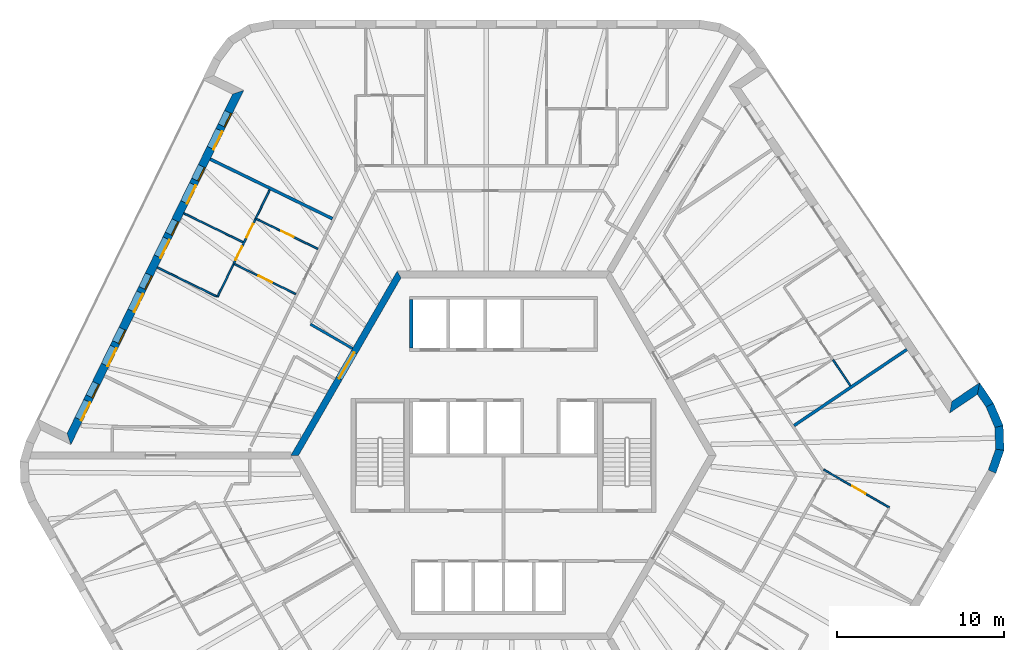
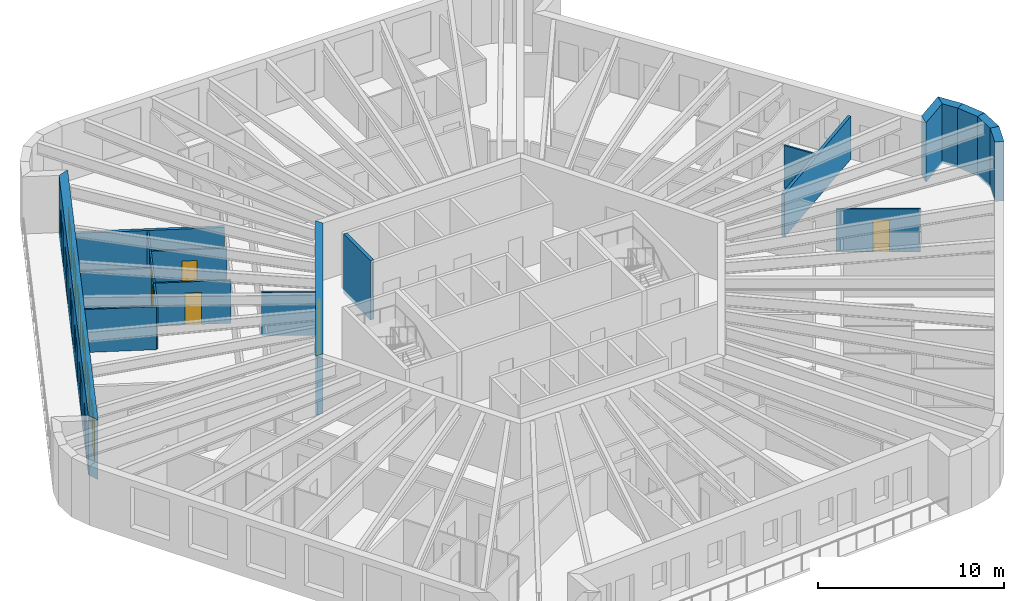
# One storey, part 8 of 12: 20 walls, 12 doors, 6 windows, 18 openings.
"""IFC4 building model written with IfcOpenShell, lengths in metres."""

from ifc_helpers import new_model, si_unit, direction, frame, frame_2d, origin, place, context, subcontext, project, spatial, polyline, rectangle, outline, extrude, material, layer, layer_set, type_object, element, fill, save


model = new_model("IFC4")

# Units and contexts
model_context = context("Model", 3, precision=1e-05, world=origin(), true_north=direction((0.0, 1.0)))
body_context = subcontext(model_context, "Body", "Model", "MODEL_VIEW")
ifc_project = project(units=[si_unit("LENGTHUNIT", "METRE"), si_unit("AREAUNIT", "SQUARE_METRE"), si_unit("VOLUMEUNIT", "CUBIC_METRE"), si_unit("PLANEANGLEUNIT", "RADIAN"), si_unit("MASSUNIT", "GRAM", prefix="KILO")], contexts=[model_context])

# Site, building, storey
site_placement = place(None, origin())
site = spatial("IfcSite", under=ifc_project, at=site_placement, CompositionType="ELEMENT")
building_placement = place(site_placement, origin())
building = spatial("IfcBuilding", under=site, at=building_placement, Name="Tarnside Tower", CompositionType="ELEMENT")
storey_placement = place(building_placement, frame((0.0, 0.0, 260.10009765625)))
storey = spatial("IfcBuildingStorey", under=building, at=storey_placement, Name="L62", CompositionType="ELEMENT", Elevation=260.10009765625)

# Wall, opening, door
ifc_material_1 = material(Name="Gypsum board partition on steel studs", Category="steel")
ifc_layer_1 = layer(ifc_material_1, 0.10009765625)
ifc_layer_set_1 = layer_set([ifc_layer_1], Name="Bathroom wall 100")
wall_type_1 = type_object("IfcWallType", Name="Bathroom wall 100", PredefinedType="PARTITIONING", material=ifc_layer_set_1)
wall_1_placement = place(storey_placement, frame((-11.09033203125, 12.334716796875, 0.0), z_axis=(0.0, 0.0, 1.0), x_axis=(-0.898787215731, 0.438385151252, 0.0)))
wall_1 = element("IfcWall", 1, at=wall_1_placement, inside=storey, type_object=wall_type_1, Name="Bathroom wall 20102", PredefinedType="PARTITIONING", context=body_context, shape_type="SweptSolid", body=[
    extrude(rectangle(XDim=4.125, YDim=0.10009765625, at=frame_2d((2.0625, 0.0))), origin(), (0.0, 0.0, 1.0), 2.8232421875),
])
opening_1_placement = place(wall_1_placement, frame((1.625, 0.0, 0.0)))
opening_1 = element("IfcOpeningElement", 2, at=opening_1_placement, cuts=wall_1, Name="Opening D-B1", PredefinedType="OPENING", context=body_context, shape_type="SweptSolid", body=[
    extrude(rectangle(XDim=0.800048828125, YDim=2.10009765625, at=frame_2d((0.39990234375, 1.050048828125))), frame((0.0, 0.06005859375, 0.0), z_axis=(0.0, -1.0, 0.0), x_axis=(1.0, 0.0, 0.0)), (0.0, 0.0, 1.0), 0.1201171875),
])
ifc_material_2 = material(Name="Timber door leaf", Category="wood")
door_type_1 = type_object("IfcDoorType", Name="Bathroom door 800", OperationType="NOTDEFINED", PredefinedType="DOOR", material=ifc_material_2)
door_1_placement = place(opening_1_placement, origin())
door_1 = element("IfcDoor", 3, at=door_1_placement, inside=storey, type_object=door_type_1, Name="Bathroom door 20016", OperationType="SINGLE_SWING_RIGHT", OverallHeight=2.10009765625, OverallWidth=0.800048828125, PredefinedType="DOOR", context=body_context, shape_type="SweptSolid", body=[
    extrude(rectangle(XDim=0.800048828125, YDim=2.10009765625, at=frame_2d((0.39990234375, 1.050048828125))), frame((0.0, 0.02490234375, 0.0), z_axis=(0.0, -1.0, 0.0), x_axis=(1.0, 0.0, 0.0)), (0.0, 0.0, 1.0), 0.050048828125),
])
fill(opening_1, door_1)

# Walls
wall_2_placement = place(storey_placement, frame((-13.96044921875, 15.859619140625, 0.0), z_axis=(0.0, 0.0, 1.0), x_axis=(-0.438355705964, -0.898801577128, 0.0)))
element("IfcWall", 4, at=wall_2_placement, inside=storey, type_object=wall_type_1, Name="Bathroom wall 20105", PredefinedType="PARTITIONING", context=body_context, shape_type="SweptSolid", body=[
    extrude(rectangle(XDim=1.912109375, YDim=0.10009765625, at=frame_2d((0.9560546875, 0.0))), origin(), (0.0, 0.0, 1.0), 2.8232421875),
])
wall_3_placement = place(storey_placement, frame((20.715087890625, 4.16015625, 0.0), z_axis=(0.0, 0.0, 1.0), x_axis=(-0.559200351269, 0.829032548903, 0.0)))
element("IfcWall", 5, at=wall_3_placement, inside=storey, type_object=wall_type_1, Name="Bathroom wall 20166", PredefinedType="PARTITIONING", context=body_context, shape_type="SweptSolid", body=[
    extrude(rectangle(XDim=1.862060546875, YDim=0.10009765625, at=frame_2d((0.93115234375, 0.0))), origin(), (0.0, 0.0, 1.0), 2.8232421875),
])

# Wall, opening, door
ifc_material_3 = material(Name="Concrete C60/75", Category="concrete")
ifc_layer_2 = layer(ifc_material_3, 0.39990234375)
ifc_layer_set_2 = layer_set([ifc_layer_2], Name="Core wall Z3 400 C60/75")
wall_type_2 = type_object("IfcWallType", Name="Core wall Z3 400 C60/75", PredefinedType="SHEAR", material=ifc_layer_set_2)
wall_4_placement = place(storey_placement, frame((-6.2353515625, 10.800048828125, -0.150146484375), z_axis=(0.0, 0.0, 1.0), x_axis=(-0.499996419489, -0.866027470984, 0.0)))
wall_4 = element("IfcWall", 6, at=wall_4_placement, inside=storey, type_object=wall_type_2, Name="L62 core wall face 2", PredefinedType="SHEAR", context=body_context, shape_type="SweptSolid", body=[
    extrude(outline(polyline([(-0.115478515625, -0.199951171875), (12.586181640625, -0.199951171875), (12.355224609375, 0.199951171875), (0.115478515625, 0.199951171875), (-0.115478515625, -0.199951171875)])), origin(), (0.0, 0.0, 1.0), 3.900146484375),
])
opening_2_placement = place(wall_4_placement, frame((5.3642578125, 0.0, 0.14990234375)))
opening_2 = element("IfcOpeningElement", 7, at=opening_2_placement, cuts=wall_4, Name="Opening CD-LOB", PredefinedType="OPENING", context=body_context, shape_type="SweptSolid", body=[
    extrude(rectangle(XDim=1.800048828125, YDim=2.39990234375, at=frame_2d((0.89990234375, 1.199951171875))), frame((0.0, 0.2099609375, 0.0), z_axis=(0.0, -1.0, 0.0), x_axis=(1.0, 0.0, 0.0)), (0.0, 0.0, 1.0), 0.419921875),
])
ifc_material_4 = material(Name="Steel fire door", Category="steel")
door_type_2 = type_object("IfcDoorType", Name="Lobby double door FD30S 1800x2400", OperationType="NOTDEFINED", PredefinedType="DOOR", material=ifc_material_4)
door_2_placement = place(opening_2_placement, origin())
door_2 = element("IfcDoor", 8, at=door_2_placement, inside=storey, type_object=door_type_2, Name="L62 core door P1", OperationType="DOUBLE_DOOR_SINGLE_SWING", OverallHeight=2.39990234375, OverallWidth=1.800048828125, PredefinedType="DOOR", context=body_context, shape_type="SweptSolid", body=[
    extrude(rectangle(XDim=1.800048828125, YDim=2.39990234375, at=frame_2d((0.89990234375, 1.199951171875))), frame((0.0, 0.02490234375, 0.0), z_axis=(0.0, -1.0, 0.0), x_axis=(1.0, 0.0, 0.0)), (0.0, 0.0, 1.0), 0.050048828125),
])
fill(opening_2, door_2)

# Walls
ifc_layer_3 = layer(ifc_material_1, 0.14990234375)
ifc_layer_set_3 = layer_set([ifc_layer_3], Name="Corridor wall 150 EI 60")
wall_type_3 = type_object("IfcWallType", Name="Corridor wall 150 EI 60", PredefinedType="PARTITIONING", material=ifc_layer_set_3)
wall_5_placement = place(storey_placement, frame((-9.015625, 6.38427734375, 0.0), z_axis=(0.0, 0.0, 1.0), x_axis=(-0.866010648346, 0.500025556299, 0.0)))
element("IfcWall", 9, at=wall_5_placement, inside=storey, type_object=wall_type_3, Name="Corridor wall 20017", PredefinedType="PARTITIONING", context=body_context, shape_type="SweptSolid", body=[
    extrude(rectangle(XDim=2.905029296875, YDim=0.14990234375, at=frame_2d((1.45263671875, 0.0))), origin(), (0.0, 0.0, 1.0), 2.8232421875),
])
ifc_layer_4 = layer(ifc_material_1, 0.179931640625)
ifc_layer_set_4 = layer_set([ifc_layer_4], Name="Demising wall 180 EI 60")
wall_type_4 = type_object("IfcWallType", Name="Demising wall 180 EI 60", PredefinedType="PARTITIONING", material=ifc_layer_set_4)
for number, where, z_axis, x_axis, name in (
    (10, (-17.51611328125, 17.694091796875, 0.0), (0.0, 0.0, 1.0), (0.898794723364, -0.438369758597, 0.0), "Demising wall 20093"),
    (11, (24.08154296875, 6.322509765625, 0.0), (0.0, 0.0, 1.0), (-0.829033253898, -0.55919930609, 0.0), "Demising wall 20154"),
):
    element("IfcWall", number, at=place(storey_placement, frame(where, z_axis=z_axis, x_axis=x_axis)), inside=storey, type_object=wall_type_4, Name=name, PredefinedType="PARTITIONING", context=body_context, shape_type="SweptSolid", body=[
        extrude(rectangle(XDim=8.125, YDim=0.179931640625, at=frame_2d((4.0625, 0.0))), origin(), (0.0, 0.0, 1.0), 2.8232421875),
    ])
ifc_material_5 = material(Name="Concrete C40/50", Category="concrete")
ifc_layer_5 = layer(ifc_material_5, 0.199951171875)
ifc_layer_set_5 = layer_set([ifc_layer_5], Name="Lift shaft wall 200 C40/50")
wall_type_5 = type_object("IfcWallType", Name="Lift shaft wall 200 C40/50", PredefinedType="SHEAR", material=ifc_layer_set_5)
wall_6_placement = place(storey_placement, frame((-5.5, 6.39990234375, -0.25), z_axis=(0.0, 0.0, 1.0), x_axis=(0.0, 1.0, 0.0)))
element("IfcWall", 12, at=wall_6_placement, inside=storey, type_object=wall_type_5, Name="L62 lift shaft partition R11", PredefinedType="SHEAR", context=body_context, shape_type="SweptSolid", body=[
    extrude(rectangle(XDim=2.900146484375, YDim=0.199951171875, at=frame_2d((1.4501953125, 0.0))), origin(), (0.0, 0.0, 1.0), 3.89990234375),
])

# Wall, openings, doors, windows
ifc_material_6 = material(Name="Dark zinc cladding")
ifc_layer_6 = layer(ifc_material_6, 0.10205078125)
ifc_material_7 = material(Name="Concrete C60/75 precast", Category="concrete")
ifc_layer_7 = layer(ifc_material_7, 0.298095703125)
ifc_material_8 = material(Name="Mineral wool insulation")
ifc_layer_8 = layer(ifc_material_8, 0.10009765625)
ifc_layer_set_6 = layer_set([ifc_layer_6, ifc_layer_7, ifc_layer_8], Name="Loggia wall 500 zinc faced")
wall_type_6 = type_object("IfcWallType", Name="Loggia wall 500 zinc faced", PredefinedType="SOLIDWALL", material=ifc_layer_set_6)
wall_7_placement = place(storey_placement, frame((-15.845947265625, 21.6884765625, -0.150146484375), z_axis=(0.0, 0.0, 1.0), x_axis=(-0.438377502627, -0.898790946322, 0.0)))
wall_7 = element("IfcWall", 13, at=wall_7_placement, inside=storey, type_object=wall_type_6, Name="Tube wall L62 F2 back 06", PredefinedType="SOLIDWALL", context=body_context, shape_type="SweptSolid", body=[
    extrude(outline(polyline([(0.25, -0.25), (22.794677734375, -0.25), (23.294677734375, 0.25), (-0.25, 0.25), (0.25, -0.25)])), origin(), (0.0, 0.0, 1.0), 3.900146484375),
])
opening_3_placement = place(wall_7_placement, frame((1.322509765625, 0.0, 1.050048828125)))
opening_3 = element("IfcOpeningElement", 14, at=opening_3_placement, cuts=wall_7, Name="Opening WL500", PredefinedType="OPENING", context=body_context, shape_type="SweptSolid", body=[
    extrude(rectangle(XDim=0.89990234375, YDim=1.5, at=frame_2d((0.449951171875, 0.75))), frame((0.0, 0.260009765625, 0.0), z_axis=(0.0, -1.0, 0.0), x_axis=(1.0, 0.0, 0.0)), (0.0, 0.0, 1.0), 0.52001953125),
])
opening_4_placement = place(wall_7_placement, frame((2.5224609375, 0.0, 0.14990234375)))
opening_4 = element("IfcOpeningElement", 15, at=opening_4_placement, cuts=wall_7, Name="Opening DB500", PredefinedType="OPENING", context=body_context, shape_type="SweptSolid", body=[
    extrude(rectangle(XDim=1.199951171875, YDim=2.39990234375, at=frame_2d((0.60009765625, 1.199951171875))), frame((0.0, 0.260009765625, 0.0), z_axis=(0.0, -1.0, 0.0), x_axis=(1.0, 0.0, 0.0)), (0.0, 0.0, 1.0), 0.52001953125),
])
opening_5_placement = place(wall_7_placement, frame((4.92236328125, 0.0, 1.050048828125)))
opening_5 = element("IfcOpeningElement", 16, at=opening_5_placement, cuts=wall_7, Name="Opening WL500", PredefinedType="OPENING", context=body_context, shape_type="SweptSolid", body=[
    extrude(rectangle(XDim=0.89990234375, YDim=1.5, at=frame_2d((0.449951171875, 0.75))), frame((0.0, 0.260009765625, 0.0), z_axis=(0.0, -1.0, 0.0), x_axis=(1.0, 0.0, 0.0)), (0.0, 0.0, 1.0), 0.52001953125),
])
opening_6_placement = place(wall_7_placement, frame((6.122314453125, 0.0, 0.14990234375)))
opening_6 = element("IfcOpeningElement", 17, at=opening_6_placement, cuts=wall_7, Name="Opening DB500", PredefinedType="OPENING", context=body_context, shape_type="SweptSolid", body=[
    extrude(rectangle(XDim=1.199951171875, YDim=2.39990234375, at=frame_2d((0.60009765625, 1.199951171875))), frame((0.0, 0.260009765625, 0.0), z_axis=(0.0, -1.0, 0.0), x_axis=(1.0, 0.0, 0.0)), (0.0, 0.0, 1.0), 0.52001953125),
])
opening_7_placement = place(wall_7_placement, frame((8.5224609375, 0.0, 1.050048828125)))
opening_7 = element("IfcOpeningElement", 18, at=opening_7_placement, cuts=wall_7, Name="Opening WL500", PredefinedType="OPENING", context=body_context, shape_type="SweptSolid", body=[
    extrude(rectangle(XDim=0.89990234375, YDim=1.5, at=frame_2d((0.449951171875, 0.75))), frame((0.0, 0.260009765625, 0.0), z_axis=(0.0, -1.0, 0.0), x_axis=(1.0, 0.0, 0.0)), (0.0, 0.0, 1.0), 0.52001953125),
])
opening_8_placement = place(wall_7_placement, frame((9.722412109375, 0.0, 0.14990234375)))
opening_8 = element("IfcOpeningElement", 19, at=opening_8_placement, cuts=wall_7, Name="Opening DB500", PredefinedType="OPENING", context=body_context, shape_type="SweptSolid", body=[
    extrude(rectangle(XDim=1.199951171875, YDim=2.39990234375, at=frame_2d((0.60009765625, 1.199951171875))), frame((0.0, 0.260009765625, 0.0), z_axis=(0.0, -1.0, 0.0), x_axis=(1.0, 0.0, 0.0)), (0.0, 0.0, 1.0), 0.52001953125),
])
opening_9_placement = place(wall_7_placement, frame((12.122314453125, 0.0, 1.050048828125)))
opening_9 = element("IfcOpeningElement", 20, at=opening_9_placement, cuts=wall_7, Name="Opening WL500", PredefinedType="OPENING", context=body_context, shape_type="SweptSolid", body=[
    extrude(rectangle(XDim=0.89990234375, YDim=1.5, at=frame_2d((0.449951171875, 0.75))), frame((0.0, 0.260009765625, 0.0), z_axis=(0.0, -1.0, 0.0), x_axis=(1.0, 0.0, 0.0)), (0.0, 0.0, 1.0), 0.52001953125),
])
opening_10_placement = place(wall_7_placement, frame((13.322509765625, 0.0, 0.14990234375)))
opening_10 = element("IfcOpeningElement", 21, at=opening_10_placement, cuts=wall_7, Name="Opening DB500", PredefinedType="OPENING", context=body_context, shape_type="SweptSolid", body=[
    extrude(rectangle(XDim=1.199951171875, YDim=2.39990234375, at=frame_2d((0.60009765625, 1.199951171875))), frame((0.0, 0.260009765625, 0.0), z_axis=(0.0, -1.0, 0.0), x_axis=(1.0, 0.0, 0.0)), (0.0, 0.0, 1.0), 0.52001953125),
])
opening_11_placement = place(wall_7_placement, frame((15.722412109375, 0.0, 1.050048828125)))
opening_11 = element("IfcOpeningElement", 22, at=opening_11_placement, cuts=wall_7, Name="Opening WL500", PredefinedType="OPENING", context=body_context, shape_type="SweptSolid", body=[
    extrude(rectangle(XDim=0.89990234375, YDim=1.5, at=frame_2d((0.449951171875, 0.75))), frame((0.0, 0.260009765625, 0.0), z_axis=(0.0, -1.0, 0.0), x_axis=(1.0, 0.0, 0.0)), (0.0, 0.0, 1.0), 0.52001953125),
])
opening_12_placement = place(wall_7_placement, frame((16.92236328125, 0.0, 0.14990234375)))
opening_12 = element("IfcOpeningElement", 23, at=opening_12_placement, cuts=wall_7, Name="Opening DB500", PredefinedType="OPENING", context=body_context, shape_type="SweptSolid", body=[
    extrude(rectangle(XDim=1.199951171875, YDim=2.39990234375, at=frame_2d((0.60009765625, 1.199951171875))), frame((0.0, 0.260009765625, 0.0), z_axis=(0.0, -1.0, 0.0), x_axis=(1.0, 0.0, 0.0)), (0.0, 0.0, 1.0), 0.52001953125),
])
opening_13_placement = place(wall_7_placement, frame((19.322509765625, 0.0, 1.050048828125)))
opening_13 = element("IfcOpeningElement", 24, at=opening_13_placement, cuts=wall_7, Name="Opening WL500", PredefinedType="OPENING", context=body_context, shape_type="SweptSolid", body=[
    extrude(rectangle(XDim=0.89990234375, YDim=1.5, at=frame_2d((0.449951171875, 0.75))), frame((0.0, 0.260009765625, 0.0), z_axis=(0.0, -1.0, 0.0), x_axis=(1.0, 0.0, 0.0)), (0.0, 0.0, 1.0), 0.52001953125),
])
opening_14_placement = place(wall_7_placement, frame((20.5224609375, 0.0, 0.14990234375)))
opening_14 = element("IfcOpeningElement", 25, at=opening_14_placement, cuts=wall_7, Name="Opening DB500", PredefinedType="OPENING", context=body_context, shape_type="SweptSolid", body=[
    extrude(rectangle(XDim=1.199951171875, YDim=2.39990234375, at=frame_2d((0.60009765625, 1.199951171875))), frame((0.0, 0.260009765625, 0.0), z_axis=(0.0, -1.0, 0.0), x_axis=(1.0, 0.0, 0.0)), (0.0, 0.0, 1.0), 0.52001953125),
])
ifc_material_9 = material(Name="Aluminium-framed double glazing", Category="aluminium")
door_type_3 = type_object("IfcDoorType", Name="Balcony sliding door 1200 x 2400 in 500 wall", OperationType="SLIDING_TO_LEFT", PredefinedType="DOOR", material=ifc_material_9)
door_3_placement = place(opening_4_placement, frame((0.0, 0.1748046875, 0.0)))
door_3 = element("IfcDoor", 26, at=door_3_placement, inside=storey, type_object=door_type_3, Name="E.BD.L62.F2.00", OperationType="SLIDING_TO_LEFT", OverallHeight=2.39990234375, OverallWidth=1.199951171875, PredefinedType="DOOR", context=body_context, shape_type="SweptSolid", body=[
    extrude(rectangle(XDim=1.199951171875, YDim=2.39990234375, at=frame_2d((0.60009765625, 1.199951171875))), frame((0.0, 0.02490234375, 0.0), z_axis=(0.0, -1.0, 0.0), x_axis=(1.0, 0.0, 0.0)), (0.0, 0.0, 1.0), 0.050048828125),
])
fill(opening_4, door_3)
door_4_placement = place(opening_6_placement, frame((0.0, 0.1748046875, 0.0)))
door_4 = element("IfcDoor", 27, at=door_4_placement, inside=storey, type_object=door_type_3, Name="E.BD.L62.F2.01", OperationType="SLIDING_TO_LEFT", OverallHeight=2.39990234375, OverallWidth=1.199951171875, PredefinedType="DOOR", context=body_context, shape_type="SweptSolid", body=[
    extrude(rectangle(XDim=1.199951171875, YDim=2.39990234375, at=frame_2d((0.60009765625, 1.199951171875))), frame((0.0, 0.02490234375, 0.0), z_axis=(0.0, -1.0, 0.0), x_axis=(1.0, 0.0, 0.0)), (0.0, 0.0, 1.0), 0.050048828125),
])
fill(opening_6, door_4)
door_5_placement = place(opening_8_placement, frame((0.0, 0.1748046875, 0.0)))
door_5 = element("IfcDoor", 28, at=door_5_placement, inside=storey, type_object=door_type_3, Name="E.BD.L62.F2.02", OperationType="SLIDING_TO_LEFT", OverallHeight=2.39990234375, OverallWidth=1.199951171875, PredefinedType="DOOR", context=body_context, shape_type="SweptSolid", body=[
    extrude(rectangle(XDim=1.199951171875, YDim=2.39990234375, at=frame_2d((0.60009765625, 1.199951171875))), frame((0.0, 0.02490234375, 0.0), z_axis=(0.0, -1.0, 0.0), x_axis=(1.0, 0.0, 0.0)), (0.0, 0.0, 1.0), 0.050048828125),
])
fill(opening_8, door_5)
door_6_placement = place(opening_10_placement, frame((0.0, 0.1748046875, 0.0)))
door_6 = element("IfcDoor", 29, at=door_6_placement, inside=storey, type_object=door_type_3, Name="E.BD.L62.F2.03", OperationType="SLIDING_TO_LEFT", OverallHeight=2.39990234375, OverallWidth=1.199951171875, PredefinedType="DOOR", context=body_context, shape_type="SweptSolid", body=[
    extrude(rectangle(XDim=1.199951171875, YDim=2.39990234375, at=frame_2d((0.60009765625, 1.199951171875))), frame((0.0, 0.02490234375, 0.0), z_axis=(0.0, -1.0, 0.0), x_axis=(1.0, 0.0, 0.0)), (0.0, 0.0, 1.0), 0.050048828125),
])
fill(opening_10, door_6)
door_7_placement = place(opening_12_placement, frame((0.0, 0.1748046875, 0.0)))
door_7 = element("IfcDoor", 30, at=door_7_placement, inside=storey, type_object=door_type_3, Name="E.BD.L62.F2.04", OperationType="SLIDING_TO_LEFT", OverallHeight=2.39990234375, OverallWidth=1.199951171875, PredefinedType="DOOR", context=body_context, shape_type="SweptSolid", body=[
    extrude(rectangle(XDim=1.199951171875, YDim=2.39990234375, at=frame_2d((0.60009765625, 1.199951171875))), frame((0.0, 0.02490234375, 0.0), z_axis=(0.0, -1.0, 0.0), x_axis=(1.0, 0.0, 0.0)), (0.0, 0.0, 1.0), 0.050048828125),
])
fill(opening_12, door_7)
door_8_placement = place(opening_14_placement, frame((0.0, 0.1748046875, 0.0)))
door_8 = element("IfcDoor", 31, at=door_8_placement, inside=storey, type_object=door_type_3, Name="E.BD.L62.F2.05", OperationType="SLIDING_TO_LEFT", OverallHeight=2.39990234375, OverallWidth=1.199951171875, PredefinedType="DOOR", context=body_context, shape_type="SweptSolid", body=[
    extrude(rectangle(XDim=1.199951171875, YDim=2.39990234375, at=frame_2d((0.60009765625, 1.199951171875))), frame((0.0, 0.02490234375, 0.0), z_axis=(0.0, -1.0, 0.0), x_axis=(1.0, 0.0, 0.0)), (0.0, 0.0, 1.0), 0.050048828125),
])
fill(opening_14, door_8)
window_type = type_object("IfcWindowType", Name="Loggia window 900 x 1500 in 500 wall", PartitioningType="SINGLE_PANEL", PredefinedType="WINDOW", material=ifc_material_9)
window_1_placement = place(opening_3_placement, frame((0.0, 0.179931640625, 0.0)))
window_1 = element("IfcWindow", 32, at=window_1_placement, inside=storey, type_object=window_type, Name="E.LW.L62.F2.00", OverallHeight=1.5, OverallWidth=0.89990234375, PartitioningType="SINGLE_PANEL", PredefinedType="WINDOW", context=body_context, shape_type="SweptSolid", body=[
    extrude(rectangle(XDim=0.89990234375, YDim=1.5, at=frame_2d((0.449951171875, 0.75))), frame((0.0, 0.030029296875, 0.0), z_axis=(0.0, -1.0, 0.0), x_axis=(1.0, 0.0, 0.0)), (0.0, 0.0, 1.0), 0.06005859375),
])
fill(opening_3, window_1)
window_2_placement = place(opening_5_placement, frame((0.0, 0.179931640625, 0.0)))
window_2 = element("IfcWindow", 33, at=window_2_placement, inside=storey, type_object=window_type, Name="E.LW.L62.F2.01", OverallHeight=1.5, OverallWidth=0.89990234375, PartitioningType="SINGLE_PANEL", PredefinedType="WINDOW", context=body_context, shape_type="SweptSolid", body=[
    extrude(rectangle(XDim=0.89990234375, YDim=1.5, at=frame_2d((0.449951171875, 0.75))), frame((0.0, 0.030029296875, 0.0), z_axis=(0.0, -1.0, 0.0), x_axis=(1.0, 0.0, 0.0)), (0.0, 0.0, 1.0), 0.06005859375),
])
fill(opening_5, window_2)
window_3_placement = place(opening_7_placement, frame((0.0, 0.179931640625, 0.0)))
window_3 = element("IfcWindow", 34, at=window_3_placement, inside=storey, type_object=window_type, Name="E.LW.L62.F2.02", OverallHeight=1.5, OverallWidth=0.89990234375, PartitioningType="SINGLE_PANEL", PredefinedType="WINDOW", context=body_context, shape_type="SweptSolid", body=[
    extrude(rectangle(XDim=0.89990234375, YDim=1.5, at=frame_2d((0.449951171875, 0.75))), frame((0.0, 0.030029296875, 0.0), z_axis=(0.0, -1.0, 0.0), x_axis=(1.0, 0.0, 0.0)), (0.0, 0.0, 1.0), 0.06005859375),
])
fill(opening_7, window_3)
window_4_placement = place(opening_9_placement, frame((0.0, 0.179931640625, 0.0)))
window_4 = element("IfcWindow", 35, at=window_4_placement, inside=storey, type_object=window_type, Name="E.LW.L62.F2.03", OverallHeight=1.5, OverallWidth=0.89990234375, PartitioningType="SINGLE_PANEL", PredefinedType="WINDOW", context=body_context, shape_type="SweptSolid", body=[
    extrude(rectangle(XDim=0.89990234375, YDim=1.5, at=frame_2d((0.449951171875, 0.75))), frame((0.0, 0.030029296875, 0.0), z_axis=(0.0, -1.0, 0.0), x_axis=(1.0, 0.0, 0.0)), (0.0, 0.0, 1.0), 0.06005859375),
])
fill(opening_9, window_4)
window_5_placement = place(opening_11_placement, frame((0.0, 0.179931640625, 0.0)))
window_5 = element("IfcWindow", 36, at=window_5_placement, inside=storey, type_object=window_type, Name="E.LW.L62.F2.04", OverallHeight=1.5, OverallWidth=0.89990234375, PartitioningType="SINGLE_PANEL", PredefinedType="WINDOW", context=body_context, shape_type="SweptSolid", body=[
    extrude(rectangle(XDim=0.89990234375, YDim=1.5, at=frame_2d((0.449951171875, 0.75))), frame((0.0, 0.030029296875, 0.0), z_axis=(0.0, -1.0, 0.0), x_axis=(1.0, 0.0, 0.0)), (0.0, 0.0, 1.0), 0.06005859375),
])
fill(opening_11, window_5)
window_6_placement = place(opening_13_placement, frame((0.0, 0.179931640625, 0.0)))
window_6 = element("IfcWindow", 37, at=window_6_placement, inside=storey, type_object=window_type, Name="E.LW.L62.F2.05", OverallHeight=1.5, OverallWidth=0.89990234375, PartitioningType="SINGLE_PANEL", PredefinedType="WINDOW", context=body_context, shape_type="SweptSolid", body=[
    extrude(rectangle(XDim=0.89990234375, YDim=1.5, at=frame_2d((0.449951171875, 0.75))), frame((0.0, 0.030029296875, 0.0), z_axis=(0.0, -1.0, 0.0), x_axis=(1.0, 0.0, 0.0)), (0.0, 0.0, 1.0), 0.06005859375),
])
fill(opening_13, window_6)

# Walls
wall_8_placement = place(storey_placement, frame((29.034912109375, 3.00244140625, -0.150146484375), z_axis=(0.0, 0.0, 1.0), x_axis=(-0.559200218553, 0.829032638423, 0.0)))
element("IfcWall", 38, at=wall_8_placement, inside=storey, type_object=wall_type_6, Name="Tube wall L62 F6 stub 28", PredefinedType="SOLIDWALL", context=body_context, shape_type="SweptSolid", body=[
    extrude(outline(polyline([(-0.0234375, -0.25), (1.44970703125, -0.25), (0.94970703125, 0.25), (0.0234375, 0.25), (-0.0234375, -0.25)])), origin(), (0.0, 0.0, 1.0), 3.900146484375),
])
wall_9_placement = place(storey_placement, frame((28.364013671875, 3.9970703125, -0.150146484375), z_axis=(0.0, 0.0, 1.0), x_axis=(-0.829108975345, -0.5590870299, 0.0)))
element("IfcWall", 39, at=wall_9_placement, inside=storey, type_object=wall_type_6, Name="Tube wall L62 F6 return 29", PredefinedType="SOLIDWALL", context=body_context, shape_type="SweptSolid", body=[
    extrude(outline(polyline([(-0.25, -0.25), (1.75, -0.25), (2.25, 0.25), (0.25, 0.25), (-0.25, -0.25)])), origin(), (0.0, 0.0, 1.0), 3.900146484375),
])

# Wall, opening, door
ifc_layer_9 = layer(ifc_material_1, 0.10009765625)
ifc_layer_set_7 = layer_set([ifc_layer_9], Name="Partition 100")
wall_type_7 = type_object("IfcWallType", Name="Partition 100", PredefinedType="PARTITIONING", material=ifc_layer_set_7)
wall_10_placement = place(storey_placement, frame((-12.4052734375, 9.638427734375, 0.0), z_axis=(0.0, 0.0, 1.0), x_axis=(-0.898810534939, 0.438337338454, 0.0)))
wall_10 = element("IfcWall", 40, at=wall_10_placement, inside=storey, type_object=wall_type_7, Name="Partition wall 20098", PredefinedType="PARTITIONING", context=body_context, shape_type="SweptSolid", body=[
    extrude(rectangle(XDim=4.125, YDim=0.10009765625, at=frame_2d((2.0625, 0.0))), origin(), (0.0, 0.0, 1.0), 2.8232421875),
])
opening_15_placement = place(wall_10_placement, frame((1.574951171875, 0.0, 0.0)))
opening_15 = element("IfcOpeningElement", 41, at=opening_15_placement, cuts=wall_10, Name="Opening D-I1", PredefinedType="OPENING", context=body_context, shape_type="SweptSolid", body=[
    extrude(rectangle(XDim=0.89990234375, YDim=2.10009765625, at=frame_2d((0.449951171875, 1.050048828125))), frame((0.0, 0.06005859375, 0.0), z_axis=(0.0, -1.0, 0.0), x_axis=(1.0, 0.0, 0.0)), (0.0, 0.0, 1.0), 0.1201171875),
])
door_type_4 = type_object("IfcDoorType", Name="Internal door 900", OperationType="NOTDEFINED", PredefinedType="DOOR", material=ifc_material_2)
door_9_placement = place(opening_15_placement, origin())
door_9 = element("IfcDoor", 42, at=door_9_placement, inside=storey, type_object=door_type_4, Name="Internal door 20017", OperationType="SINGLE_SWING_RIGHT", OverallHeight=2.10009765625, OverallWidth=0.89990234375, PredefinedType="DOOR", context=body_context, shape_type="SweptSolid", body=[
    extrude(rectangle(XDim=0.89990234375, YDim=2.10009765625, at=frame_2d((0.449951171875, 1.050048828125))), frame((0.0, 0.02490234375, 0.0), z_axis=(0.0, -1.0, 0.0), x_axis=(1.0, 0.0, 0.0)), (0.0, 0.0, 1.0), 0.050048828125),
])
fill(opening_15, door_9)

# Walls
wall_11_placement = place(storey_placement, frame((-16.1337890625, 11.403564453125, 0.0), z_axis=(0.0, 0.0, 1.0), x_axis=(-0.438343168157, -0.898807691851, 0.0)))
element("IfcWall", 43, at=wall_11_placement, inside=storey, type_object=wall_type_7, Name="Partition wall 20099", PredefinedType="PARTITIONING", context=body_context, shape_type="SweptSolid", body=[
    extrude(rectangle(XDim=2.152099609375, YDim=0.10009765625, at=frame_2d((1.076171875, 0.0))), origin(), (0.0, 0.0, 1.0), 2.8232421875),
])
wall_12_placement = place(storey_placement, frame((-17.122314453125, 9.4912109375, 0.0), z_axis=(0.0, 0.0, 1.0), x_axis=(-0.89879695829, 0.438365176273, 0.0)))
element("IfcWall", 44, at=wall_12_placement, inside=storey, type_object=wall_type_7, Name="Partition wall 20100", PredefinedType="PARTITIONING", context=body_context, shape_type="SweptSolid", body=[
    extrude(rectangle(XDim=3.94970703125, YDim=0.10009765625, at=frame_2d((1.974853515625, 0.0))), origin(), (0.0, 0.0, 1.0), 2.8232421875),
])

# Wall, openings, doors
wall_13_placement = place(storey_placement, frame((-14.796875, 14.144775390625, 0.0), z_axis=(0.0, 0.0, 1.0), x_axis=(-0.438381999587, -0.898788752955, 0.0)))
wall_13 = element("IfcWall", 45, at=wall_13_placement, inside=storey, type_object=wall_type_7, Name="Partition wall 20103", PredefinedType="PARTITIONING", context=body_context, shape_type="SweptSolid", body=[
    extrude(rectangle(XDim=3.00390625, YDim=0.10009765625, at=frame_2d((1.501953125, 0.0))), origin(), (0.0, 0.0, 1.0), 2.8232421875),
])
opening_16_placement = place(wall_13_placement, frame((0.35205078125, 0.0, 0.0)))
opening_16 = element("IfcOpeningElement", 46, at=opening_16_placement, cuts=wall_13, Name="Opening D-I1", PredefinedType="OPENING", context=body_context, shape_type="SweptSolid", body=[
    extrude(rectangle(XDim=0.89990234375, YDim=2.10009765625, at=frame_2d((0.449951171875, 1.050048828125))), frame((0.0, 0.06005859375, 0.0), z_axis=(0.0, -1.0, 0.0), x_axis=(1.0, 0.0, 0.0)), (0.0, 0.0, 1.0), 0.1201171875),
])
opening_17_placement = place(wall_13_placement, frame((1.85205078125, 0.0, 0.0)))
opening_17 = element("IfcOpeningElement", 47, at=opening_17_placement, cuts=wall_13, Name="Opening D-I1", PredefinedType="OPENING", context=body_context, shape_type="SweptSolid", body=[
    extrude(rectangle(XDim=0.89990234375, YDim=2.10009765625, at=frame_2d((0.449951171875, 1.050048828125))), frame((0.0, 0.06005859375, 0.0), z_axis=(0.0, -1.0, 0.0), x_axis=(1.0, 0.0, 0.0)), (0.0, 0.0, 1.0), 0.1201171875),
])
door_10_placement = place(opening_16_placement, origin())
door_10 = element("IfcDoor", 48, at=door_10_placement, inside=storey, type_object=door_type_4, Name="Internal door 20018", OperationType="SINGLE_SWING_LEFT", OverallHeight=2.10009765625, OverallWidth=0.89990234375, PredefinedType="DOOR", context=body_context, shape_type="SweptSolid", body=[
    extrude(rectangle(XDim=0.89990234375, YDim=2.10009765625, at=frame_2d((0.449951171875, 1.050048828125))), frame((0.0, 0.02490234375, 0.0), z_axis=(0.0, -1.0, 0.0), x_axis=(1.0, 0.0, 0.0)), (0.0, 0.0, 1.0), 0.050048828125),
])
fill(opening_16, door_10)
door_11_placement = place(opening_17_placement, origin())
door_11 = element("IfcDoor", 49, at=door_11_placement, inside=storey, type_object=door_type_4, Name="Internal door 20019", OperationType="SINGLE_SWING_RIGHT", OverallHeight=2.10009765625, OverallWidth=0.89990234375, PredefinedType="DOOR", context=body_context, shape_type="SweptSolid", body=[
    extrude(rectangle(XDim=0.89990234375, YDim=2.10009765625, at=frame_2d((0.449951171875, 1.050048828125))), frame((0.0, 0.02490234375, 0.0), z_axis=(0.0, -1.0, 0.0), x_axis=(1.0, 0.0, 0.0)), (0.0, 0.0, 1.0), 0.050048828125),
])
fill(opening_17, door_11)

# Wall
wall_14_placement = place(storey_placement, frame((-19.09423828125, 14.45849609375, 0.0), z_axis=(0.0, 0.0, 1.0), x_axis=(0.898772603862, -0.438415107571, 0.0)))
element("IfcWall", 50, at=wall_14_placement, inside=storey, type_object=wall_type_7, Name="Partition wall 20106", PredefinedType="PARTITIONING", context=body_context, shape_type="SweptSolid", body=[
    extrude(rectangle(XDim=3.949951171875, YDim=0.10009765625, at=frame_2d((1.97509765625, 0.0))), origin(), (0.0, 0.0, 1.0), 2.8232421875),
])

# Wall, opening, door
wall_15_placement = place(storey_placement, frame((19.1171875, -0.84716796875, 0.0), z_axis=(0.0, 0.0, 1.0), x_axis=(0.866020997002, -0.500007632694, 0.0)))
wall_15 = element("IfcWall", 51, at=wall_15_placement, inside=storey, type_object=wall_type_7, Name="Partition wall 20151", PredefinedType="PARTITIONING", context=body_context, shape_type="SweptSolid", body=[
    extrude(rectangle(XDim=4.5205078125, YDim=0.10009765625, at=frame_2d((2.26025390625, 0.0))), origin(), (0.0, 0.0, 1.0), 2.8232421875),
])
opening_18_placement = place(wall_15_placement, frame((1.970458984375, 0.0, 0.0)))
opening_18 = element("IfcOpeningElement", 52, at=opening_18_placement, cuts=wall_15, Name="Opening D-I1", PredefinedType="OPENING", context=body_context, shape_type="SweptSolid", body=[
    extrude(rectangle(XDim=0.89990234375, YDim=2.10009765625, at=frame_2d((0.449951171875, 1.050048828125))), frame((0.0, 0.06005859375, 0.0), z_axis=(0.0, -1.0, 0.0), x_axis=(1.0, 0.0, 0.0)), (0.0, 0.0, 1.0), 0.1201171875),
])
door_12_placement = place(opening_18_placement, origin())
door_12 = element("IfcDoor", 53, at=door_12_placement, inside=storey, type_object=door_type_4, Name="Internal door 20063", OperationType="SINGLE_SWING_LEFT", OverallHeight=2.10009765625, OverallWidth=0.89990234375, PredefinedType="DOOR", context=body_context, shape_type="SweptSolid", body=[
    extrude(rectangle(XDim=0.89990234375, YDim=2.10009765625, at=frame_2d((0.449951171875, 1.050048828125))), frame((0.0, 0.02490234375, 0.0), z_axis=(0.0, -1.0, 0.0), x_axis=(1.0, 0.0, 0.0)), (0.0, 0.0, 1.0), 0.050048828125),
])
fill(opening_18, door_12)

# Walls
ifc_material_10 = material(Name="Facing brick", Category="masonry")
ifc_layer_10 = layer(ifc_material_10, 0.10205078125)
ifc_layer_11 = layer(ifc_material_7, 0.298095703125)
ifc_layer_12 = layer(ifc_material_8, 0.10009765625)
ifc_layer_set_8 = layer_set([ifc_layer_10, ifc_layer_11, ifc_layer_12], Name="Tube wall 500 brick faced")
wall_type_8 = type_object("IfcWallType", Name="Tube wall 500 brick faced", PredefinedType="SOLIDWALL", material=ifc_layer_set_8)
wall_16_placement = place(storey_placement, frame((29.173828125, -0.9697265625, -0.150146484375), z_axis=(0.0, 0.0, 1.0), x_axis=(0.330961348063, 0.943644311215, 0.0)))
element("IfcWall", 54, at=wall_16_placement, inside=storey, type_object=wall_type_8, Name="Tube wall L62 F5 chord 25", PredefinedType="SOLIDWALL", context=body_context, shape_type="SweptSolid", body=[
    extrude(outline(polyline([(-0.0234375, -0.25), (1.435302734375, -0.25), (1.341064453125, 0.25), (0.0234375, 0.25), (-0.0234375, -0.25)])), origin(), (0.0, 0.0, 1.0), 3.900146484375),
])
wall_17_placement = place(storey_placement, frame((29.63330078125, 0.34033203125, -0.150146484375), z_axis=(0.0, 0.0, 1.0), x_axis=(-0.034825746769, 0.999393399699, 0.0)))
element("IfcWall", 55, at=wall_17_placement, inside=storey, type_object=wall_type_8, Name="Tube wall L62 F5 chord 26", PredefinedType="SOLIDWALL", context=body_context, shape_type="SweptSolid", body=[
    extrude(outline(polyline([(-0.047119140625, -0.25), (1.43505859375, -0.25), (1.3408203125, 0.25), (0.047119140625, 0.25), (-0.047119140625, -0.25)])), origin(), (0.0, 0.0, 1.0), 3.900146484375),
])
wall_18_placement = place(storey_placement, frame((29.5849609375, 1.7275390625, -0.150146484375), z_axis=(0.0, 0.0, 1.0), x_axis=(-0.396146339195, 0.918187387162, 0.0)))
element("IfcWall", 56, at=wall_18_placement, inside=storey, type_object=wall_type_8, Name="Tube wall L62 F5 chord 27", PredefinedType="SOLIDWALL", context=body_context, shape_type="SweptSolid", body=[
    extrude(outline(polyline([(-0.047119140625, -0.25), (1.411865234375, -0.25), (1.364990234375, 0.25), (0.047119140625, 0.25), (-0.047119140625, -0.25)])), origin(), (0.0, 0.0, 1.0), 3.900146484375),
])

save(model, "model.ifc")
